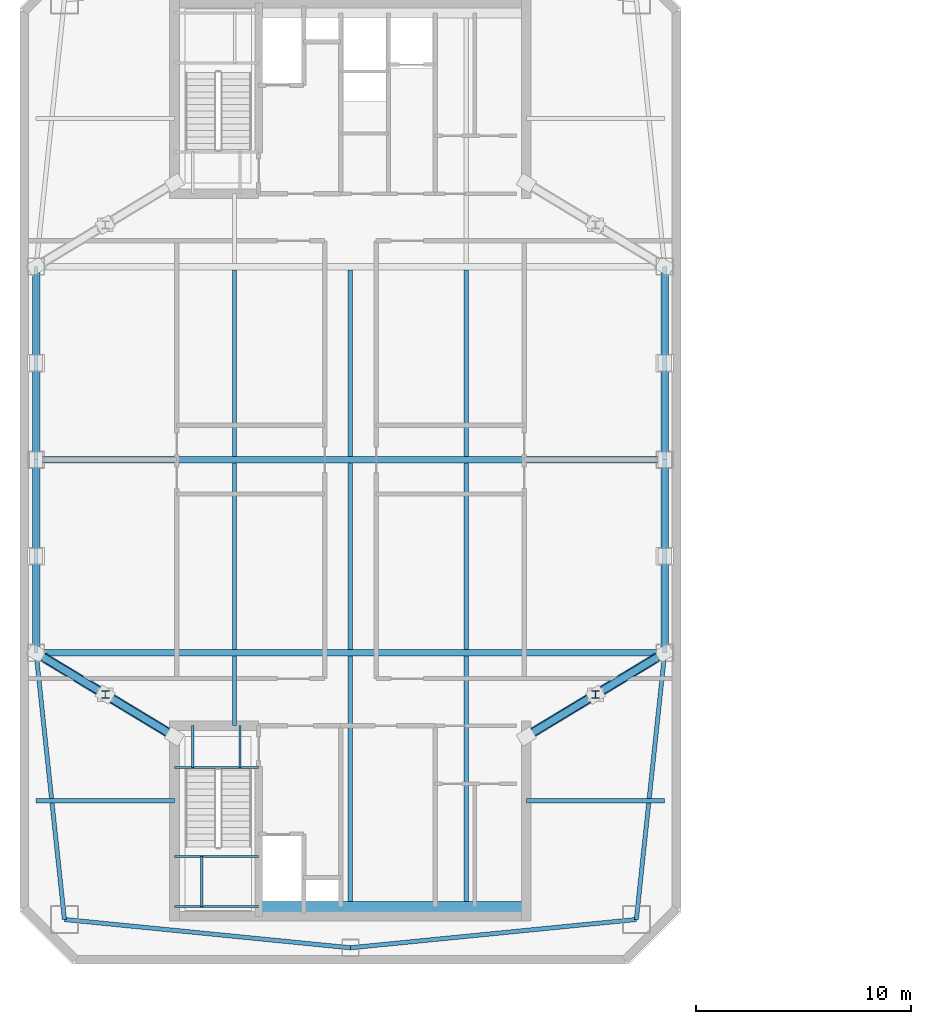
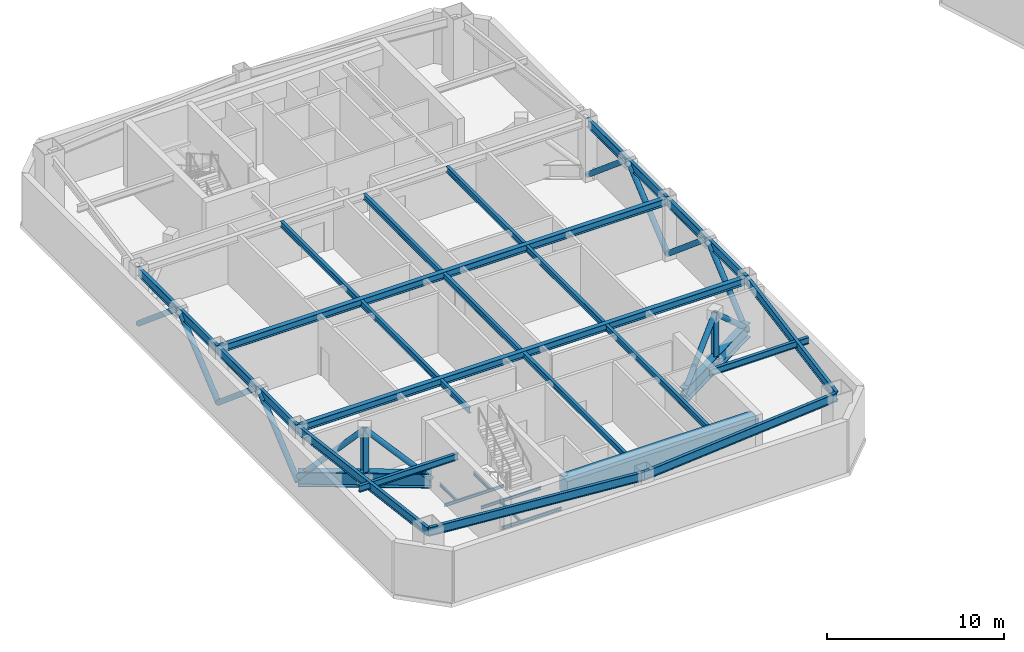
# One storey, part 3 of 17: 30 beams, 14 members.
"""IFC4 building model written with IfcOpenShell, lengths in metres."""

from ifc_helpers import new_model, si_unit, direction, frame, origin, origin_2d, place, context, subcontext, project, spatial, rectangle, hollow_circle, i_section, extrude, material, material_profile, profile_set, type_object, element, save


model = new_model("IFC4")

# Units and contexts
model_context = context("Model", 3, precision=1e-05, world=origin(), true_north=direction((0.0, 1.0)))
body_context = subcontext(model_context, "Body", "Model", "MODEL_VIEW")
ifc_project = project(units=[si_unit("LENGTHUNIT", "METRE"), si_unit("AREAUNIT", "SQUARE_METRE"), si_unit("VOLUMEUNIT", "CUBIC_METRE"), si_unit("PLANEANGLEUNIT", "RADIAN"), si_unit("MASSUNIT", "GRAM", prefix="KILO")], contexts=[model_context])

# Site, building, storey
site_placement = place(None, origin())
site = spatial("IfcSite", under=ifc_project, at=site_placement, CompositionType="ELEMENT")
building_placement = place(site_placement, origin())
building = spatial("IfcBuilding", under=site, at=building_placement, Name="Qiaolan Cultural Towers", CompositionType="ELEMENT")
storey_placement = place(building_placement, frame((0.0, 0.0, 230.0)))
storey = spatial("IfcBuildingStorey", under=building, at=storey_placement, Name="L62", CompositionType="ELEMENT", Elevation=230.0)

# Beams
ifc_material_1 = material(Name="Steel Q390GJB", Category="steel")
ifc_material_profile_1 = material_profile(ifc_material_1, i_section(OverallWidth=0.449951171875, OverallDepth=1.0, WebThickness=0.02392578125, FlangeThickness=0.0400390625, at=origin_2d()), Name="BH1000x450x24x40")
ifc_profile_set_1 = profile_set([ifc_material_profile_1], Name="Steel Q390GJB")
beam_type_1 = type_object("IfcBeamType", Name="BM-BH1000x450x24x40", PredefinedType="BEAM", material=ifc_profile_set_1)
for number, where, z_axis, x_axis, name in (
    (1, (21.800048828125, 21.10009765625, 0.5), (-0.855735985919, 0.517412719599, 0.0), (-0.517412719599, -0.855735985919, 0.0), "L62 T1 Outrigger Bottom Chord Girder WS"),
    (2, (38.199951171875, 21.10009765625, 0.5), (0.855735985919, 0.517412719599, 0.0), (-0.517412719599, 0.855735985919, 0.0), "L62 T1 Outrigger Bottom Chord Girder ES"),
):
    element("IfcBeam", number, at=place(storey_placement, frame(where, z_axis=z_axis, x_axis=x_axis)), inside=storey, type_object=beam_type_1, Name=name, PredefinedType="BEAM", context=body_context, shape_type="SweptSolid", body=[
        extrude(i_section(OverallWidth=0.449951171875, OverallDepth=1.0, WebThickness=0.02392578125, FlangeThickness=0.0400390625, at=origin_2d()), origin(), (0.0, 0.0, 1.0), 7.537353515625),
    ])
ifc_material_2 = material(Name="Steel Q355B", Category="steel")
ifc_material_profile_2 = material_profile(ifc_material_2, i_section(OverallWidth=0.300048828125, OverallDepth=0.488037109375, WebThickness=0.010986328125, FlangeThickness=0.01806640625, at=origin_2d()), Name="HM488x300x11x18")
ifc_profile_set_2 = profile_set([ifc_material_profile_2], Name="Steel Q355B")
beam_type_2 = type_object("IfcBeamType", Name="BM-HM488x300x11x18", PredefinedType="BEAM", material=ifc_profile_set_2)
for number, where, z_axis, x_axis, name in (
    (3, (15.35009765625, 25.0, 3.89599609375), (1.0, 0.0, 0.0), (0.0, 1.0, 0.0), "L62 T1 Primary Transverse Girder V1"),
    (4, (15.35009765625, 34.0, 3.89599609375), (1.0, 0.0, 0.0), (0.0, 1.0, 0.0), "L62 T1 Primary Transverse Girder V2"),
):
    element("IfcBeam", number, at=place(storey_placement, frame(where, z_axis=z_axis, x_axis=x_axis)), inside=storey, type_object=beam_type_2, Name=name, PredefinedType="BEAM", context=body_context, shape_type="SweptSolid", body=[
        extrude(i_section(OverallWidth=0.300048828125, OverallDepth=0.488037109375, WebThickness=0.010986328125, FlangeThickness=0.01806640625, at=origin_2d()), origin(), (0.0, 0.0, 1.0), 29.2998046875),
    ])
ifc_material_3 = material(Name="Steel Q355B", Category="steel")
ifc_material_profile_3 = material_profile(ifc_material_3, i_section(OverallWidth=0.199951171875, OverallDepth=0.39990234375, WebThickness=0.008056640625, FlangeThickness=0.012939453125, at=origin_2d()), Name="HN400x200x8x13")
ifc_profile_set_3 = profile_set([ifc_material_profile_3], Name="Steel Q355B")
beam_type_3 = type_object("IfcBeamType", Name="BM-JST-HN400x200x8x13", PredefinedType="JOIST", material=ifc_profile_set_3)
beam_1_placement = place(storey_placement, frame((24.60009765625, 21.60009765625, 3.93994140625), z_axis=(0.0, 1.0, 0.0), x_axis=(-1.0, 0.0, 0.0)))
element("IfcBeam", 5, at=beam_1_placement, inside=storey, type_object=beam_type_3, Name="L62 T1 Secondary Floor Joist U1-1", PredefinedType="JOIST", context=body_context, shape_type="SweptSolid", body=[
    extrude(i_section(OverallWidth=0.199951171875, OverallDepth=0.39990234375, WebThickness=0.008056640625, FlangeThickness=0.012939453125, at=origin_2d()), origin(), (0.0, 0.0, 1.0), 3.25),
])
for number, where, z_axis, x_axis, name in (
    (6, (24.60009765625, 25.14990234375, 3.93994140625), (0.0, 1.0, 0.0), (-1.0, 0.0, 0.0), "L62 T1 Secondary Floor Joist U1-2"),
    (7, (24.60009765625, 34.14990234375, 3.93994140625), (0.0, 1.0, 0.0), (-1.0, 0.0, 0.0), "L62 T1 Secondary Floor Joist U1-3"),
):
    element("IfcBeam", number, at=place(storey_placement, frame(where, z_axis=z_axis, x_axis=x_axis)), inside=storey, type_object=beam_type_3, Name=name, PredefinedType="JOIST", context=body_context, shape_type="SweptSolid", body=[
        extrude(i_section(OverallWidth=0.199951171875, OverallDepth=0.39990234375, WebThickness=0.008056640625, FlangeThickness=0.012939453125, at=origin_2d()), origin(), (0.0, 0.0, 1.0), 8.7001953125),
    ])
beam_2_placement = place(storey_placement, frame((30.0, 13.39990234375, 3.93994140625), z_axis=(0.0, 1.0, 0.0), x_axis=(-1.0, 0.0, 0.0)))
element("IfcBeam", 8, at=beam_2_placement, inside=storey, type_object=beam_type_3, Name="L62 T1 Secondary Floor Joist U2-1", PredefinedType="JOIST", context=body_context, shape_type="SweptSolid", body=[
    extrude(i_section(OverallWidth=0.199951171875, OverallDepth=0.39990234375, WebThickness=0.008056640625, FlangeThickness=0.012939453125, at=origin_2d()), origin(), (0.0, 0.0, 1.0), 11.4501953125),
])
for number, where, z_axis, x_axis, name in (
    (9, (30.0, 25.14990234375, 3.93994140625), (0.0, 1.0, 0.0), (-1.0, 0.0, 0.0), "L62 T1 Secondary Floor Joist U2-2"),
    (10, (30.0, 34.14990234375, 3.93994140625), (0.0, 1.0, 0.0), (-1.0, 0.0, 0.0), "L62 T1 Secondary Floor Joist U2-3"),
):
    element("IfcBeam", number, at=place(storey_placement, frame(where, z_axis=z_axis, x_axis=x_axis)), inside=storey, type_object=beam_type_3, Name=name, PredefinedType="JOIST", context=body_context, shape_type="SweptSolid", body=[
        extrude(i_section(OverallWidth=0.199951171875, OverallDepth=0.39990234375, WebThickness=0.008056640625, FlangeThickness=0.012939453125, at=origin_2d()), origin(), (0.0, 0.0, 1.0), 8.7001953125),
    ])
beam_3_placement = place(storey_placement, frame((35.39990234375, 13.39990234375, 3.93994140625), z_axis=(0.0, 1.0, 0.0), x_axis=(-1.0, 0.0, 0.0)))
element("IfcBeam", 11, at=beam_3_placement, inside=storey, type_object=beam_type_3, Name="L62 T1 Secondary Floor Joist U3-1", PredefinedType="JOIST", context=body_context, shape_type="SweptSolid", body=[
    extrude(i_section(OverallWidth=0.199951171875, OverallDepth=0.39990234375, WebThickness=0.008056640625, FlangeThickness=0.012939453125, at=origin_2d()), origin(), (0.0, 0.0, 1.0), 11.4501953125),
])
for number, where, z_axis, x_axis, name in (
    (12, (35.39990234375, 25.14990234375, 3.93994140625), (0.0, 1.0, 0.0), (-1.0, 0.0, 0.0), "L62 T1 Secondary Floor Joist U3-2"),
    (13, (35.39990234375, 34.14990234375, 3.93994140625), (0.0, 1.0, 0.0), (-1.0, 0.0, 0.0), "L62 T1 Secondary Floor Joist U3-3"),
):
    element("IfcBeam", number, at=place(storey_placement, frame(where, z_axis=z_axis, x_axis=x_axis)), inside=storey, type_object=beam_type_3, Name=name, PredefinedType="JOIST", context=body_context, shape_type="SweptSolid", body=[
        extrude(i_section(OverallWidth=0.199951171875, OverallDepth=0.39990234375, WebThickness=0.008056640625, FlangeThickness=0.012939453125, at=origin_2d()), origin(), (0.0, 0.0, 1.0), 8.7001953125),
    ])
ifc_material_4 = material(Name="Steel Q355B", Category="steel")
ifc_material_profile_4 = material_profile(ifc_material_4, i_section(OverallWidth=0.199951171875, OverallDepth=0.449951171875, WebThickness=0.009033203125, FlangeThickness=0.013916015625, at=origin_2d()), Name="HN450x200x9x14")
ifc_profile_set_4 = profile_set([ifc_material_profile_4], Name="Steel Q355B")
beam_type_4 = type_object("IfcBeamType", Name="BM-LNT-HN450x200x9x14", PredefinedType="LINTEL", material=ifc_profile_set_4)
for number, where, z_axis, x_axis, name in (
    (14, (21.800048828125, 18.10009765625, 3.9150390625), (-1.0, 0.0, 0.0), (0.0, -1.0, 0.0), "L62 T1 Core Flank Tie Lintel WS"),
    (15, (38.199951171875, 18.10009765625, 3.9150390625), (1.0, 0.0, 0.0), (0.0, 1.0, 0.0), "L62 T1 Core Flank Tie Lintel ES"),
):
    element("IfcBeam", number, at=place(storey_placement, frame(where, z_axis=z_axis, x_axis=x_axis)), inside=storey, type_object=beam_type_4, Name=name, PredefinedType="LINTEL", context=body_context, shape_type="SweptSolid", body=[
        extrude(i_section(OverallWidth=0.199951171875, OverallDepth=0.449951171875, WebThickness=0.009033203125, FlangeThickness=0.013916015625, at=origin_2d()), origin(), (0.0, 0.0, 1.0), 6.449951171875),
    ])
ifc_material_5 = material(Name="Concrete C50", Category="concrete")
ifc_material_profile_5 = material_profile(ifc_material_5, rectangle(XDim=0.89990234375, YDim=1.10009765625, at=origin_2d()), Name="RC900x1100")
ifc_profile_set_5 = profile_set([ifc_material_profile_5], Name="Concrete C50")
beam_type_5 = type_object("IfcBeamType", Name="BM-RC900x1100", PredefinedType="BEAM", material=ifc_profile_set_5)
beam_4_placement = place(storey_placement, frame((25.719970703125, 12.949951171875, 3.590087890625), z_axis=(1.0, 0.0, 0.0), x_axis=(0.0, 1.0, 0.0)))
element("IfcBeam", 16, at=beam_4_placement, inside=storey, type_object=beam_type_5, Name="L62 T1 Core Header Girder S", PredefinedType="BEAM", context=body_context, shape_type="SweptSolid", body=[
    extrude(rectangle(XDim=0.89990234375, YDim=1.10009765625, at=origin_2d()), origin(), (0.0, 0.0, 1.0), 12.47998046875),
])
ifc_material_6 = material(Name="Steel Q355B", Category="steel")
ifc_material_profile_6 = material_profile(ifc_material_6, i_section(OverallWidth=0.199951171875, OverallDepth=0.60009765625, WebThickness=0.010986328125, FlangeThickness=0.01708984375, at=origin_2d()), Name="HN600x200x11x17")
ifc_profile_set_6 = profile_set([ifc_material_profile_6], Name="Steel Q355B")
beam_type_6 = type_object("IfcBeamType", Name="BM-SPD-HN600x200x11x17", PredefinedType="SPANDREL", material=ifc_profile_set_6)
for number, where, z_axis, x_axis, name in (
    (17, (16.669921875, 12.570068359375, 3.840087890625), (0.995132371263, -0.098547266143, 0.0), (0.098547266143, 0.995132371263, 0.0), "L62 T1 Perimeter Spandrel Beam 1"),
    (18, (30.0, 11.25, 3.840087890625), (0.995132371263, 0.098547266143, 0.0), (-0.098547266143, 0.995132371263, 0.0), "L62 T1 Perimeter Spandrel Beam 2"),
):
    element("IfcBeam", number, at=place(storey_placement, frame(where, z_axis=z_axis, x_axis=x_axis)), inside=storey, type_object=beam_type_6, Name=name, PredefinedType="SPANDREL", context=body_context, shape_type="SweptSolid", body=[
        extrude(i_section(OverallWidth=0.199951171875, OverallDepth=0.60009765625, WebThickness=0.010986328125, FlangeThickness=0.01708984375, at=origin_2d()), origin(), (0.0, 0.0, 1.0), 13.395263671875),
    ])
beam_5_placement = place(storey_placement, frame((43.330078125, 12.570068359375, 3.840087890625), z_axis=(0.105587580773, 0.994410007384, 0.0), x_axis=(-0.994410007384, 0.105587580773, 0.0)))
element("IfcBeam", 19, at=beam_5_placement, inside=storey, type_object=beam_type_6, Name="L62 T1 Perimeter Spandrel Beam 3", PredefinedType="SPANDREL", context=body_context, shape_type="SweptSolid", body=[
    extrude(i_section(OverallWidth=0.199951171875, OverallDepth=0.60009765625, WebThickness=0.010986328125, FlangeThickness=0.01708984375, at=origin_2d()), origin(), (0.0, 0.0, 1.0), 12.499755859375),
])
for number, where, z_axis, x_axis, name in (
    (20, (44.64990234375, 25.0, 3.840087890625), (0.0, 1.0, 0.0), (-1.0, 0.0, 0.0), "L62 T1 Perimeter Spandrel Beam 4"),
    (21, (44.64990234375, 34.0, 3.840087890625), (0.0, 1.0, 0.0), (-1.0, 0.0, 0.0), "L62 T1 Perimeter Spandrel Beam 5"),
    (22, (15.35009765625, 43.0, 3.840087890625), (0.0, -1.0, 0.0), (1.0, 0.0, 0.0), "L62 T1 Perimeter Spandrel Beam 10"),
    (23, (15.35009765625, 34.0, 3.840087890625), (0.0, -1.0, 0.0), (1.0, 0.0, 0.0), "L62 T1 Perimeter Spandrel Beam 11"),
):
    element("IfcBeam", number, at=place(storey_placement, frame(where, z_axis=z_axis, x_axis=x_axis)), inside=storey, type_object=beam_type_6, Name=name, PredefinedType="SPANDREL", context=body_context, shape_type="SweptSolid", body=[
        extrude(i_section(OverallWidth=0.199951171875, OverallDepth=0.60009765625, WebThickness=0.010986328125, FlangeThickness=0.01708984375, at=origin_2d()), origin(), (0.0, 0.0, 1.0), 9.0),
    ])
beam_6_placement = place(storey_placement, frame((15.35009765625, 25.0, 3.840087890625), z_axis=(0.105587580773, -0.994410007384, 0.0), x_axis=(0.994410007384, 0.105587580773, 0.0)))
element("IfcBeam", 24, at=beam_6_placement, inside=storey, type_object=beam_type_6, Name="L62 T1 Perimeter Spandrel Beam 12", PredefinedType="SPANDREL", context=body_context, shape_type="SweptSolid", body=[
    extrude(i_section(OverallWidth=0.199951171875, OverallDepth=0.60009765625, WebThickness=0.010986328125, FlangeThickness=0.01708984375, at=origin_2d()), origin(), (0.0, 0.0, 1.0), 12.499755859375),
])
ifc_material_7 = material(Name="Steel Q355B", Category="steel")
ifc_material_profile_7 = material_profile(ifc_material_7, i_section(OverallWidth=0.10009765625, OverallDepth=0.199951171875, WebThickness=0.005615234375, FlangeThickness=0.008056640625, at=origin_2d()), Name="HN200x100x5.5x8")
ifc_profile_set_7 = profile_set([ifc_material_profile_7], Name="Steel Q355B")
beam_type_7 = type_object("IfcBeamType", Name="BM-STTRIM-200", PredefinedType="BEAM", material=ifc_profile_set_7)
beam_7_placement = place(storey_placement, frame((21.800048828125, 19.659912109375, -0.4599609375), z_axis=(1.0, 0.0, 0.0), x_axis=(0.0, 1.0, 0.0)))
element("IfcBeam", 25, at=beam_7_placement, inside=storey, type_object=beam_type_7, Name="L62 ST-W1 Floor Landing Header Beam", PredefinedType="BEAM", context=body_context, shape_type="SweptSolid", body=[
    extrude(i_section(OverallWidth=0.10009765625, OverallDepth=0.199951171875, WebThickness=0.005615234375, FlangeThickness=0.008056640625, at=origin_2d()), origin(), (0.0, 0.0, 1.0), 3.919921875),
])
for number, where, z_axis, x_axis, name in (
    (26, (22.64990234375, 21.60009765625, -0.4599609375), (0.0, -1.0, 0.0), (1.0, 0.0, 0.0), "L62 ST-W1 Floor Landing Stringer 1"),
    (27, (24.85009765625, 21.60009765625, -0.4599609375), (0.0, -1.0, 0.0), (1.0, 0.0, 0.0), "L62 ST-W1 Floor Landing Stringer 2"),
):
    element("IfcBeam", number, at=place(storey_placement, frame(where, z_axis=z_axis, x_axis=x_axis)), inside=storey, type_object=beam_type_7, Name=name, PredefinedType="BEAM", context=body_context, shape_type="SweptSolid", body=[
        extrude(i_section(OverallWidth=0.10009765625, OverallDepth=0.199951171875, WebThickness=0.005615234375, FlangeThickness=0.008056640625, at=origin_2d()), origin(), (0.0, 0.0, 1.0), 1.940185546875),
    ])
for number, where, z_axis, x_axis, name in (
    (28, (21.800048828125, 15.51123046875, 1.89990234375), (1.0, 0.0, 0.0), (0.0, 1.0, 0.0), "L62 ST-W1 Stair Landing Support Beam 1-1"),
    (29, (21.800048828125, 13.179931640625, 1.89990234375), (1.0, 0.0, 0.0), (0.0, 1.0, 0.0), "L62 ST-W1 Stair Landing Support Beam 1-2"),
):
    element("IfcBeam", number, at=place(storey_placement, frame(where, z_axis=z_axis, x_axis=x_axis)), inside=storey, type_object=beam_type_7, Name=name, PredefinedType="BEAM", context=body_context, shape_type="SweptSolid", body=[
        extrude(i_section(OverallWidth=0.10009765625, OverallDepth=0.199951171875, WebThickness=0.005615234375, FlangeThickness=0.008056640625, at=origin_2d()), origin(), (0.0, 0.0, 1.0), 3.919921875),
    ])
beam_8_placement = place(storey_placement, frame((23.070068359375, 15.51123046875, 1.89990234375), z_axis=(0.0, -1.0, 0.0), x_axis=(1.0, 0.0, 0.0)))
element("IfcBeam", 30, at=beam_8_placement, inside=storey, type_object=beam_type_7, Name="L62 ST-W1 Stair Landing Trimmer 1", PredefinedType="BEAM", context=body_context, shape_type="SweptSolid", body=[
    extrude(i_section(OverallWidth=0.10009765625, OverallDepth=0.199951171875, WebThickness=0.005615234375, FlangeThickness=0.008056640625, at=origin_2d()), origin(), (0.0, 0.0, 1.0), 2.331298828125),
])

# Members
ifc_material_8 = material(Name="Steel Q355B", Category="steel")
ifc_material_profile_8 = material_profile(ifc_material_8, hollow_circle(Radius=0.175537109375, WallThickness=0.01611328125, at=origin_2d()), Name="CHS351x16")
ifc_profile_set_8 = profile_set([ifc_material_profile_8], Name="Steel Q355B")
member_type_1 = type_object("IfcMemberType", Name="MBR-BRC-CHS351x16", PredefinedType="BRACE", material=ifc_profile_set_8)
for number, where, z_axis, x_axis, name in (
    (31, (21.800048828125, 21.10009765625, 0.5), (-0.637077878713, 0.385188570574, 0.667653758736), (-0.517398378234, -0.855744657127, 0.0), "L62 T1 Outrigger Truss Diagonal WS-1"),
    (32, (18.574951171875, 23.050048828125, 3.8798828125), (-0.637049224235, 0.385200405327, -0.66767427211), (-0.517427061613, -0.855727313991, 0.0), "L62 T1 Outrigger Truss Diagonal WS-2"),
    (33, (38.199951171875, 21.10009765625, 0.5), (0.637077878713, 0.385188570574, 0.667653758736), (-0.517398378234, 0.855744657127, 0.0), "L62 T1 Outrigger Truss Diagonal ES-1"),
    (34, (41.425048828125, 23.050048828125, 3.8798828125), (0.637049224235, 0.385200405327, -0.66767427211), (-0.517427061613, 0.855727313991, 0.0), "L62 T1 Outrigger Truss Diagonal ES-2"),
):
    element("IfcMember", number, at=place(storey_placement, frame(where, z_axis=z_axis, x_axis=x_axis)), inside=storey, type_object=member_type_1, Name=name, PredefinedType="BRACE", context=body_context, shape_type="SweptSolid", body=[
        extrude(hollow_circle(Radius=0.175537109375, WallThickness=0.01611328125, at=origin_2d()), origin(), (0.0, 0.0, 1.0), 5.062255859375),
    ])
for number, where, z_axis, x_axis, name in (
    (35, (15.35009765625, 25.0, 0.199951171875), (0.0, 0.765702409674, 0.643195009168), (-1.0, 0.0, 0.0), "L62 T1 Perimeter Belt Truss W1-A"),
    (36, (15.35009765625, 29.5, 3.97998046875), (0.0, 0.765702409674, -0.643195009168), (-1.0, 0.0, 0.0), "L62 T1 Perimeter Belt Truss W1-B"),
    (37, (15.35009765625, 34.0, 0.199951171875), (0.0, 0.765702409674, 0.643195009168), (-1.0, 0.0, 0.0), "L62 T1 Perimeter Belt Truss W2-A"),
    (38, (15.35009765625, 38.5, 3.97998046875), (0.0, 0.765702409674, -0.643195009168), (-1.0, 0.0, 0.0), "L62 T1 Perimeter Belt Truss W2-B"),
    (39, (44.64990234375, 25.0, 0.199951171875), (0.0, 0.765702409674, 0.643195009168), (-1.0, 0.0, 0.0), "L62 T1 Perimeter Belt Truss E1-A"),
    (40, (44.64990234375, 29.5, 3.97998046875), (0.0, 0.765702409674, -0.643195009168), (-1.0, 0.0, 0.0), "L62 T1 Perimeter Belt Truss E1-B"),
    (41, (44.64990234375, 34.0, 0.199951171875), (0.0, 0.765702409674, 0.643195009168), (-1.0, 0.0, 0.0), "L62 T1 Perimeter Belt Truss E2-A"),
    (42, (44.64990234375, 38.5, 3.97998046875), (0.0, 0.765702409674, -0.643195009168), (-1.0, 0.0, 0.0), "L62 T1 Perimeter Belt Truss E2-B"),
):
    element("IfcMember", number, at=place(storey_placement, frame(where, z_axis=z_axis, x_axis=x_axis)), inside=storey, type_object=member_type_1, Name=name, PredefinedType="BRACE", context=body_context, shape_type="SweptSolid", body=[
        extrude(hollow_circle(Radius=0.175537109375, WallThickness=0.01611328125, at=origin_2d()), origin(), (0.0, 0.0, 1.0), 5.876953125),
    ])
ifc_material_9 = material(Name="Steel Q355B", Category="steel")
ifc_material_profile_9 = material_profile(ifc_material_9, i_section(OverallWidth=0.35009765625, OverallDepth=0.35009765625, WebThickness=0.011962890625, FlangeThickness=0.01904296875, at=origin_2d()), Name="HW350x350x12x19")
ifc_profile_set_9 = profile_set([ifc_material_profile_9], Name="Steel Q355B")
member_type_2 = type_object("IfcMemberType", Name="MBR-POST-HW350x350x12x19", PredefinedType="STUD", material=ifc_profile_set_9)
for number, where, z_axis, x_axis, name in (
    (43, (18.574951171875, 23.050048828125, 0.5), (0.0, 0.0, 1.0), (1.0, 0.0, 0.0), "L62 T1 Outrigger King Web WS"),
    (44, (41.425048828125, 23.050048828125, 0.5), (0.0, 0.0, 1.0), (1.0, 0.0, 0.0), "L62 T1 Outrigger King Web ES"),
):
    element("IfcMember", number, at=place(storey_placement, frame(where, z_axis=z_axis, x_axis=x_axis)), inside=storey, type_object=member_type_2, Name=name, PredefinedType="STUD", context=body_context, shape_type="SweptSolid", body=[
        extrude(i_section(OverallWidth=0.35009765625, OverallDepth=0.35009765625, WebThickness=0.011962890625, FlangeThickness=0.01904296875, at=origin_2d()), origin(), (0.0, 0.0, 1.0), 3.3798828125),
    ])

save(model, "model.ifc")
